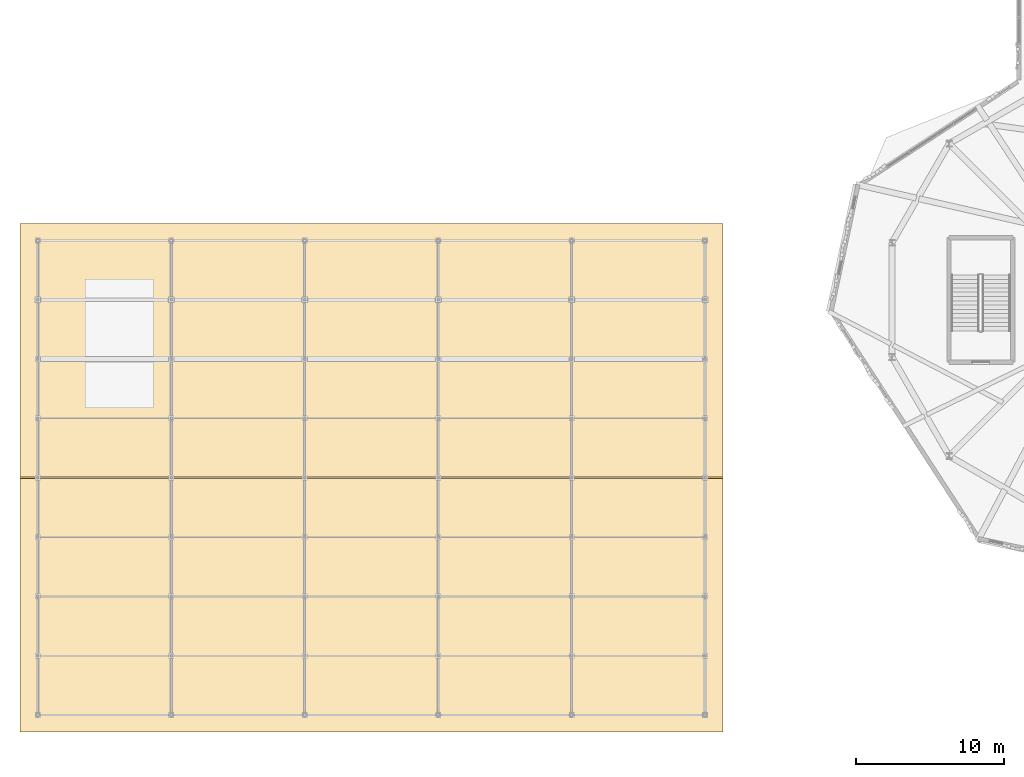
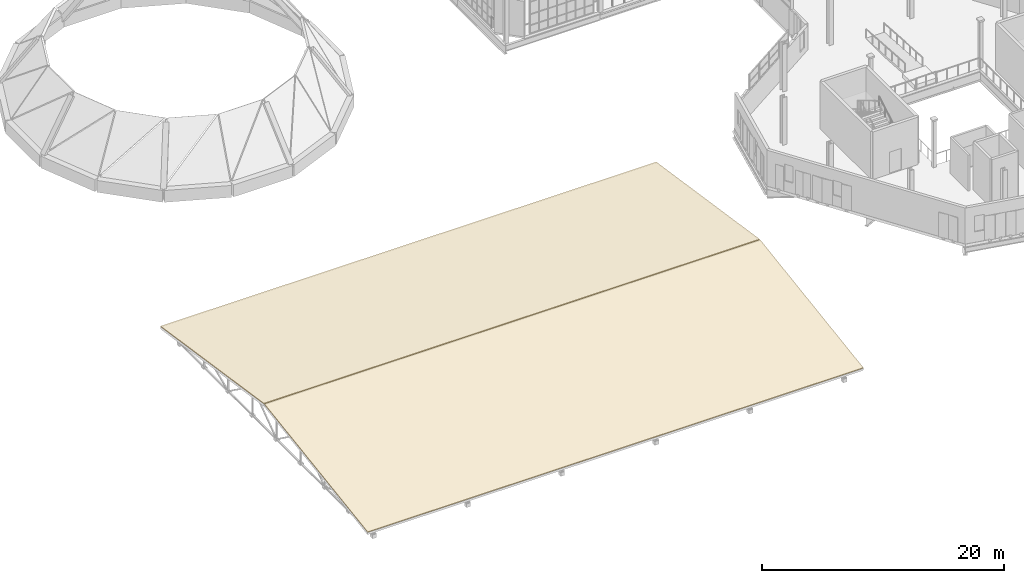
# One storey, part 111 of 118: 2 coverings.
"""IFC4 building model written with IfcOpenShell, lengths in metres."""

from ifc_helpers import new_model, si_unit, direction, frame, origin, place, context, subcontext, project, spatial, polyline, outline, extrude, material, layer, layer_set, type_object, element, save


model = new_model("IFC4")

# Units and contexts
model_context = context("Model", 3, precision=1e-05, world=origin(), true_north=direction((0.0, 1.0)))
body_context = subcontext(model_context, "Body", "Model", "MODEL_VIEW")
ifc_project = project(units=[si_unit("LENGTHUNIT", "METRE"), si_unit("AREAUNIT", "SQUARE_METRE"), si_unit("VOLUMEUNIT", "CUBIC_METRE"), si_unit("PLANEANGLEUNIT", "RADIAN"), si_unit("MASSUNIT", "GRAM", prefix="KILO"), si_unit("THERMODYNAMICTEMPERATUREUNIT", "KELVIN"), si_unit("POWERUNIT", "WATT")], contexts=[model_context])

# Site, building, storey
site_placement = place(None, origin())
site = spatial("IfcSite", under=ifc_project, at=site_placement, CompositionType="ELEMENT")
building_placement = place(site_placement, origin())
building = spatial("IfcBuilding", under=site, at=building_placement, Name="Zelmaris Science Centre", CompositionType="ELEMENT")
storey_placement = place(building_placement, frame((0.0, 0.0, 15.60009765625)))
storey = spatial("IfcBuildingStorey", under=building, at=storey_placement, Name="L03", CompositionType="ELEMENT", Elevation=15.60009765625)

# Coverings
ifc_material = material(Name="Standing-seam aluminium-zinc roofing membrane", Category="aluminium")
ifc_layer = layer(ifc_material, 0.080078125, Name="Standing-seam aluminium-zinc roofing membrane")
ifc_layer_set = layer_set([ifc_layer], Name="Standing-seam aluminium-zinc roofing membrane")
covering_type = type_object("IfcCoveringType", Name="Roofing Membrane RFG-01 80mm", PredefinedType="ROOFING", material=ifc_layer_set)
for number, where, z_axis, x_axis, name in (
    (1, (7.800048828125, 6.85009765625, 1.357421875), (0.0, -0.148347352441, 0.988935317917), (1.0, 0.0, 0.0), "RF-V3 Standing-seam roofing S"),
    (2, (7.800048828125, 24.0380859375, 3.92431640625), (0.0, 0.148347352441, 0.988935317917), (1.0, 0.0, 0.0), "RF-V3 Standing-seam roofing N"),
):
    element("IfcCovering", number, at=place(storey_placement, frame(where, z_axis=z_axis, x_axis=x_axis)), inside=storey, type_object=covering_type, Name=name, PredefinedType="ROOFING", context=body_context, shape_type="SweptSolid", body=[
        extrude(outline(polyline([(0.0, 0.0), (47.39990234375, 0.0), (47.39990234375, 17.303271605559683), (0.0, 17.303271605559683), (0.0, 0.0)])), origin(), (0.0, 0.0, -1.0), 0.080078125),
    ])

save(model, "model.ifc")
